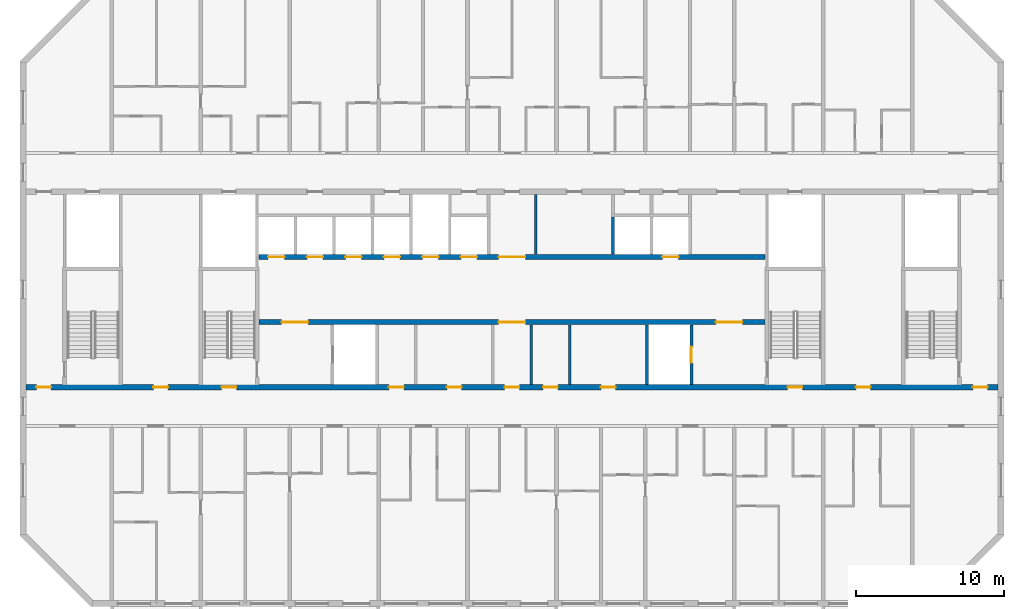
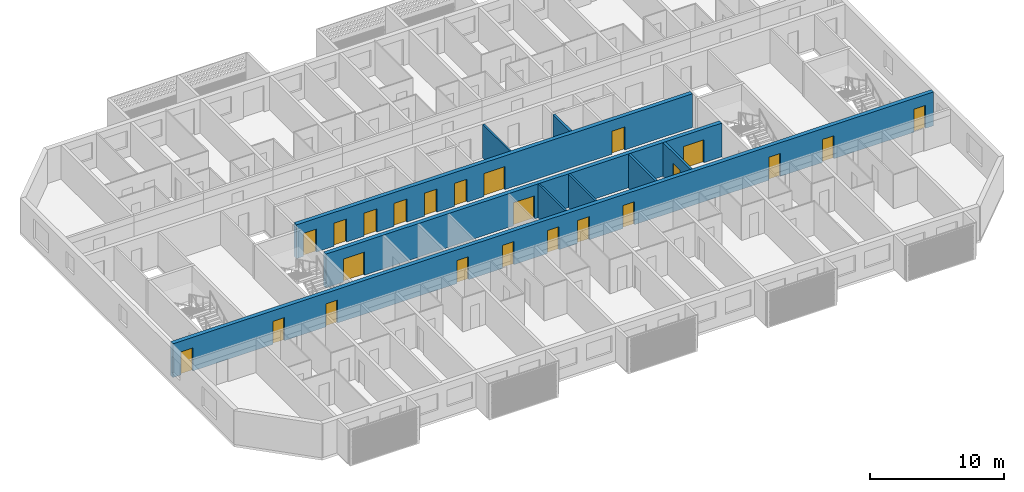
# One storey, part 6 of 27: 23 doors, 9 walls, 23 openings.
"""IFC4 building model written with IfcOpenShell, lengths in metres."""

from ifc_helpers import new_model, si_unit, direction, frame, frame_2d, origin, place, context, subcontext, project, spatial, rectangle, extrude, material, layer, layer_set, type_object, element, fill, save


model = new_model("IFC4")

# Units and contexts
model_context = context("Model", 3, precision=1e-05, world=origin(), true_north=direction((0.0, 1.0)))
body_context = subcontext(model_context, "Body", "Model", "MODEL_VIEW")
ifc_project = project(units=[si_unit("LENGTHUNIT", "METRE"), si_unit("AREAUNIT", "SQUARE_METRE"), si_unit("VOLUMEUNIT", "CUBIC_METRE"), si_unit("PLANEANGLEUNIT", "RADIAN"), si_unit("MASSUNIT", "GRAM", prefix="KILO")], contexts=[model_context])

# Site, building, storey
site_placement = place(None, origin())
site = spatial("IfcSite", under=ifc_project, at=site_placement, CompositionType="ELEMENT")
building_placement = place(site_placement, origin())
building = spatial("IfcBuilding", under=site, at=building_placement, Name="Poui Terraces", CompositionType="ELEMENT")
storey_placement = place(building_placement, frame((0.0, 0.0, 254.39990234375)))
storey = spatial("IfcBuildingStorey", under=building, at=storey_placement, Name="L71", CompositionType="ELEMENT", Elevation=254.39990234375)

# Wall, openings, doors
ifc_material_1 = material(Name="Concrete 50 MPa", Category="concrete")
ifc_layer_1 = layer(ifc_material_1, 0.35009765625)
ifc_layer_set_1 = layer_set([ifc_layer_1], Name="Concrete 50 MPa")
wall_type_1 = type_object("IfcWallType", Name="CORE WALL 350 50 MPA", PredefinedType="SOLIDWALL", material=ifc_layer_set_1)
wall_1_placement = place(storey_placement, frame((33.925048828125, 19.0, 0.0), z_axis=(0.0, 0.0, 1.0), x_axis=(1.0, 0.0, 0.0)))
wall_1 = element("IfcWall", 1, at=wall_1_placement, inside=storey, type_object=wall_type_1, Name="CORE WALL", PredefinedType="SOLIDWALL", context=body_context, shape_type="SweptSolid", body=[
    extrude(rectangle(XDim=34.14990234375, YDim=0.35009765625, at=frame_2d((17.074951171875, 0.0))), origin(), (0.0, 0.0, 1.0), 3.080078125),
])
opening_1_placement = place(wall_1_placement, frame((16.175048828125, 0.0, 0.0)))
opening_1 = element("IfcOpeningElement", 2, at=opening_1_placement, cuts=wall_1, Name="Opening FDD60", PredefinedType="OPENING", context=body_context, shape_type="SweptSolid", body=[
    extrude(rectangle(XDim=1.800048828125, YDim=2.10009765625, at=frame_2d((0.89990234375, 1.050048828125))), frame((0.0, 0.18505859375, 0.0), z_axis=(0.0, -1.0, 0.0), x_axis=(1.0, 0.0, 0.0)), (0.0, 0.0, 1.0), 0.3701171875),
])
opening_2_placement = place(wall_1_placement, frame((1.52490234375, 0.0, 0.0)))
opening_2 = element("IfcOpeningElement", 3, at=opening_2_placement, cuts=wall_1, Name="Opening FDD60", PredefinedType="OPENING", context=body_context, shape_type="SweptSolid", body=[
    extrude(rectangle(XDim=1.800048828125, YDim=2.10009765625, at=frame_2d((0.89990234375, 1.050048828125))), frame((0.0, 0.18505859375, 0.0), z_axis=(0.0, -1.0, 0.0), x_axis=(1.0, 0.0, 0.0)), (0.0, 0.0, 1.0), 0.3701171875),
])
opening_3_placement = place(wall_1_placement, frame((30.824951171875, 0.0, 0.0)))
opening_3 = element("IfcOpeningElement", 4, at=opening_3_placement, cuts=wall_1, Name="Opening FDD60", PredefinedType="OPENING", context=body_context, shape_type="SweptSolid", body=[
    extrude(rectangle(XDim=1.800048828125, YDim=2.10009765625, at=frame_2d((0.89990234375, 1.050048828125))), frame((0.0, 0.18505859375, 0.0), z_axis=(0.0, -1.0, 0.0), x_axis=(1.0, 0.0, 0.0)), (0.0, 0.0, 1.0), 0.3701171875),
])
ifc_material_2 = material(Name="Steel fire door", Category="steel")
door_type_1 = type_object("IfcDoorType", Name="DOUBLE LOBBY FIRE DOOR 1800 X 2100", OperationType="DOUBLE_DOOR_SINGLE_SWING", PredefinedType="DOOR", material=ifc_material_2)
door_1_placement = place(opening_1_placement, frame((1.800048828125, 0.0, 0.0), z_axis=(0.0, 0.0, 1.0), x_axis=(-1.0, 0.0, 0.0)))
door_1 = element("IfcDoor", 5, at=door_1_placement, inside=storey, type_object=door_type_1, Name="DOUBLE LOBBY FIRE DOOR 099", OperationType="DOUBLE_DOOR_SINGLE_SWING", OverallHeight=2.10009765625, OverallWidth=1.800048828125, PredefinedType="DOOR", context=body_context, shape_type="SweptSolid", body=[
    extrude(rectangle(XDim=1.800048828125, YDim=2.10009765625, at=frame_2d((0.89990234375, 1.050048828125))), frame((0.0, 0.02490234375, 0.0), z_axis=(0.0, -1.0, 0.0), x_axis=(1.0, 0.0, 0.0)), (0.0, 0.0, 1.0), 0.050048828125),
])
fill(opening_1, door_1)
door_2_placement = place(opening_2_placement, origin())
door_2 = element("IfcDoor", 6, at=door_2_placement, inside=storey, type_object=door_type_1, Name="DOUBLE LOBBY FIRE DOOR 101", OperationType="DOUBLE_DOOR_SINGLE_SWING", OverallHeight=2.10009765625, OverallWidth=1.800048828125, PredefinedType="DOOR", context=body_context, shape_type="SweptSolid", body=[
    extrude(rectangle(XDim=1.800048828125, YDim=2.10009765625, at=frame_2d((0.89990234375, 1.050048828125))), frame((0.0, 0.02490234375, 0.0), z_axis=(0.0, -1.0, 0.0), x_axis=(1.0, 0.0, 0.0)), (0.0, 0.0, 1.0), 0.050048828125),
])
fill(opening_2, door_2)
door_3_placement = place(opening_3_placement, origin())
door_3 = element("IfcDoor", 7, at=door_3_placement, inside=storey, type_object=door_type_1, Name="DOUBLE LOBBY FIRE DOOR 108", OperationType="DOUBLE_DOOR_SINGLE_SWING", OverallHeight=2.10009765625, OverallWidth=1.800048828125, PredefinedType="DOOR", context=body_context, shape_type="SweptSolid", body=[
    extrude(rectangle(XDim=1.800048828125, YDim=2.10009765625, at=frame_2d((0.89990234375, 1.050048828125))), frame((0.0, 0.02490234375, 0.0), z_axis=(0.0, -1.0, 0.0), x_axis=(1.0, 0.0, 0.0)), (0.0, 0.0, 1.0), 0.050048828125),
])
fill(opening_3, door_3)

wall_2_placement = place(storey_placement, frame((33.925048828125, 23.39990234375, 0.0), z_axis=(0.0, 0.0, 1.0), x_axis=(1.0, 0.0, 0.0)))
wall_2 = element("IfcWall", 8, at=wall_2_placement, inside=storey, type_object=wall_type_1, Name="CORE WALL", PredefinedType="SOLIDWALL", context=body_context, shape_type="SweptSolid", body=[
    extrude(rectangle(XDim=34.14990234375, YDim=0.35009765625, at=frame_2d((17.074951171875, 0.0))), origin(), (0.0, 0.0, 1.0), 3.080078125),
])
opening_4_placement = place(wall_2_placement, frame((16.175048828125, 0.0, 0.0)))
opening_4 = element("IfcOpeningElement", 9, at=opening_4_placement, cuts=wall_2, Name="Opening FDD60", PredefinedType="OPENING", context=body_context, shape_type="SweptSolid", body=[
    extrude(rectangle(XDim=1.800048828125, YDim=2.10009765625, at=frame_2d((0.89990234375, 1.050048828125))), frame((0.0, 0.18505859375, 0.0), z_axis=(0.0, -1.0, 0.0), x_axis=(1.0, 0.0, 0.0)), (0.0, 0.0, 1.0), 0.3701171875),
])
opening_5_placement = place(wall_2_placement, frame((0.625, 0.0, 0.0)))
opening_5 = element("IfcOpeningElement", 10, at=opening_5_placement, cuts=wall_2, Name="Opening LD", PredefinedType="OPENING", context=body_context, shape_type="SweptSolid", body=[
    extrude(rectangle(XDim=1.10009765625, YDim=2.10009765625, at=frame_2d((0.550048828125, 1.050048828125))), frame((0.0, 0.18505859375, 0.0), z_axis=(0.0, -1.0, 0.0), x_axis=(1.0, 0.0, 0.0)), (0.0, 0.0, 1.0), 0.3701171875),
])
opening_6_placement = place(wall_2_placement, frame((3.22509765625, 0.0, 0.0)))
opening_6 = element("IfcOpeningElement", 11, at=opening_6_placement, cuts=wall_2, Name="Opening LD", PredefinedType="OPENING", context=body_context, shape_type="SweptSolid", body=[
    extrude(rectangle(XDim=1.10009765625, YDim=2.10009765625, at=frame_2d((0.550048828125, 1.050048828125))), frame((0.0, 0.18505859375, 0.0), z_axis=(0.0, -1.0, 0.0), x_axis=(1.0, 0.0, 0.0)), (0.0, 0.0, 1.0), 0.3701171875),
])
opening_7_placement = place(wall_2_placement, frame((5.824951171875, 0.0, 0.0)))
opening_7 = element("IfcOpeningElement", 12, at=opening_7_placement, cuts=wall_2, Name="Opening LD", PredefinedType="OPENING", context=body_context, shape_type="SweptSolid", body=[
    extrude(rectangle(XDim=1.10009765625, YDim=2.10009765625, at=frame_2d((0.550048828125, 1.050048828125))), frame((0.0, 0.18505859375, 0.0), z_axis=(0.0, -1.0, 0.0), x_axis=(1.0, 0.0, 0.0)), (0.0, 0.0, 1.0), 0.3701171875),
])
opening_8_placement = place(wall_2_placement, frame((8.425048828125, 0.0, 0.0)))
opening_8 = element("IfcOpeningElement", 13, at=opening_8_placement, cuts=wall_2, Name="Opening LD", PredefinedType="OPENING", context=body_context, shape_type="SweptSolid", body=[
    extrude(rectangle(XDim=1.10009765625, YDim=2.10009765625, at=frame_2d((0.550048828125, 1.050048828125))), frame((0.0, 0.18505859375, 0.0), z_axis=(0.0, -1.0, 0.0), x_axis=(1.0, 0.0, 0.0)), (0.0, 0.0, 1.0), 0.3701171875),
])
opening_9_placement = place(wall_2_placement, frame((11.02490234375, 0.0, 0.0)))
opening_9 = element("IfcOpeningElement", 14, at=opening_9_placement, cuts=wall_2, Name="Opening LD", PredefinedType="OPENING", context=body_context, shape_type="SweptSolid", body=[
    extrude(rectangle(XDim=1.10009765625, YDim=2.10009765625, at=frame_2d((0.550048828125, 1.050048828125))), frame((0.0, 0.18505859375, 0.0), z_axis=(0.0, -1.0, 0.0), x_axis=(1.0, 0.0, 0.0)), (0.0, 0.0, 1.0), 0.3701171875),
])
opening_10_placement = place(wall_2_placement, frame((13.625, 0.0, 0.0)))
opening_10 = element("IfcOpeningElement", 15, at=opening_10_placement, cuts=wall_2, Name="Opening LD", PredefinedType="OPENING", context=body_context, shape_type="SweptSolid", body=[
    extrude(rectangle(XDim=1.10009765625, YDim=2.10009765625, at=frame_2d((0.550048828125, 1.050048828125))), frame((0.0, 0.18505859375, 0.0), z_axis=(0.0, -1.0, 0.0), x_axis=(1.0, 0.0, 0.0)), (0.0, 0.0, 1.0), 0.3701171875),
])
opening_11_placement = place(wall_2_placement, frame((27.22509765625, 0.0, 0.0)))
opening_11 = element("IfcOpeningElement", 16, at=opening_11_placement, cuts=wall_2, Name="Opening LD", PredefinedType="OPENING", context=body_context, shape_type="SweptSolid", body=[
    extrude(rectangle(XDim=1.10009765625, YDim=2.10009765625, at=frame_2d((0.550048828125, 1.050048828125))), frame((0.0, 0.18505859375, 0.0), z_axis=(0.0, -1.0, 0.0), x_axis=(1.0, 0.0, 0.0)), (0.0, 0.0, 1.0), 0.3701171875),
])
door_4_placement = place(opening_4_placement, origin())
door_4 = element("IfcDoor", 17, at=door_4_placement, inside=storey, type_object=door_type_1, Name="DOUBLE LOBBY FIRE DOOR 098", OperationType="DOUBLE_DOOR_SINGLE_SWING", OverallHeight=2.10009765625, OverallWidth=1.800048828125, PredefinedType="DOOR", context=body_context, shape_type="SweptSolid", body=[
    extrude(rectangle(XDim=1.800048828125, YDim=2.10009765625, at=frame_2d((0.89990234375, 1.050048828125))), frame((0.0, 0.02490234375, 0.0), z_axis=(0.0, -1.0, 0.0), x_axis=(1.0, 0.0, 0.0)), (0.0, 0.0, 1.0), 0.050048828125),
])
fill(opening_4, door_4)
ifc_material_3 = material(Name="Stainless steel sliding door", Category="steel")
door_type_2 = type_object("IfcDoorType", Name="LIFT LANDING DOOR 1100 X 2100", OperationType="DOUBLE_DOOR_SLIDING", PredefinedType="DOOR", material=ifc_material_3)
door_5_placement = place(opening_5_placement, origin())
door_5 = element("IfcDoor", 18, at=door_5_placement, inside=storey, type_object=door_type_2, Name="LANDING DOOR", OperationType="DOUBLE_DOOR_SLIDING", OverallHeight=2.10009765625, OverallWidth=1.10009765625, PredefinedType="DOOR", context=body_context, shape_type="SweptSolid", body=[
    extrude(rectangle(XDim=1.10009765625, YDim=2.10009765625, at=frame_2d((0.550048828125, 1.050048828125))), frame((0.0, 0.02490234375, 0.0), z_axis=(0.0, -1.0, 0.0), x_axis=(1.0, 0.0, 0.0)), (0.0, 0.0, 1.0), 0.050048828125),
])
fill(opening_5, door_5)
door_6_placement = place(opening_6_placement, origin())
door_6 = element("IfcDoor", 19, at=door_6_placement, inside=storey, type_object=door_type_2, Name="LANDING DOOR", OperationType="DOUBLE_DOOR_SLIDING", OverallHeight=2.10009765625, OverallWidth=1.10009765625, PredefinedType="DOOR", context=body_context, shape_type="SweptSolid", body=[
    extrude(rectangle(XDim=1.10009765625, YDim=2.10009765625, at=frame_2d((0.550048828125, 1.050048828125))), frame((0.0, 0.02490234375, 0.0), z_axis=(0.0, -1.0, 0.0), x_axis=(1.0, 0.0, 0.0)), (0.0, 0.0, 1.0), 0.050048828125),
])
fill(opening_6, door_6)
door_7_placement = place(opening_7_placement, origin())
door_7 = element("IfcDoor", 20, at=door_7_placement, inside=storey, type_object=door_type_2, Name="LANDING DOOR", OperationType="DOUBLE_DOOR_SLIDING", OverallHeight=2.10009765625, OverallWidth=1.10009765625, PredefinedType="DOOR", context=body_context, shape_type="SweptSolid", body=[
    extrude(rectangle(XDim=1.10009765625, YDim=2.10009765625, at=frame_2d((0.550048828125, 1.050048828125))), frame((0.0, 0.02490234375, 0.0), z_axis=(0.0, -1.0, 0.0), x_axis=(1.0, 0.0, 0.0)), (0.0, 0.0, 1.0), 0.050048828125),
])
fill(opening_7, door_7)
door_8_placement = place(opening_8_placement, origin())
door_8 = element("IfcDoor", 21, at=door_8_placement, inside=storey, type_object=door_type_2, Name="LANDING DOOR", OperationType="DOUBLE_DOOR_SLIDING", OverallHeight=2.10009765625, OverallWidth=1.10009765625, PredefinedType="DOOR", context=body_context, shape_type="SweptSolid", body=[
    extrude(rectangle(XDim=1.10009765625, YDim=2.10009765625, at=frame_2d((0.550048828125, 1.050048828125))), frame((0.0, 0.02490234375, 0.0), z_axis=(0.0, -1.0, 0.0), x_axis=(1.0, 0.0, 0.0)), (0.0, 0.0, 1.0), 0.050048828125),
])
fill(opening_8, door_8)
door_9_placement = place(opening_9_placement, origin())
door_9 = element("IfcDoor", 22, at=door_9_placement, inside=storey, type_object=door_type_2, Name="LANDING DOOR", OperationType="DOUBLE_DOOR_SLIDING", OverallHeight=2.10009765625, OverallWidth=1.10009765625, PredefinedType="DOOR", context=body_context, shape_type="SweptSolid", body=[
    extrude(rectangle(XDim=1.10009765625, YDim=2.10009765625, at=frame_2d((0.550048828125, 1.050048828125))), frame((0.0, 0.02490234375, 0.0), z_axis=(0.0, -1.0, 0.0), x_axis=(1.0, 0.0, 0.0)), (0.0, 0.0, 1.0), 0.050048828125),
])
fill(opening_9, door_9)
door_10_placement = place(opening_10_placement, origin())
door_10 = element("IfcDoor", 23, at=door_10_placement, inside=storey, type_object=door_type_2, Name="LANDING DOOR", OperationType="DOUBLE_DOOR_SLIDING", OverallHeight=2.10009765625, OverallWidth=1.10009765625, PredefinedType="DOOR", context=body_context, shape_type="SweptSolid", body=[
    extrude(rectangle(XDim=1.10009765625, YDim=2.10009765625, at=frame_2d((0.550048828125, 1.050048828125))), frame((0.0, 0.02490234375, 0.0), z_axis=(0.0, -1.0, 0.0), x_axis=(1.0, 0.0, 0.0)), (0.0, 0.0, 1.0), 0.050048828125),
])
fill(opening_10, door_10)
door_11_placement = place(opening_11_placement, origin())
door_11 = element("IfcDoor", 24, at=door_11_placement, inside=storey, type_object=door_type_2, Name="LANDING DOOR", OperationType="DOUBLE_DOOR_SLIDING", OverallHeight=2.10009765625, OverallWidth=1.10009765625, PredefinedType="DOOR", context=body_context, shape_type="SweptSolid", body=[
    extrude(rectangle(XDim=1.10009765625, YDim=2.10009765625, at=frame_2d((0.550048828125, 1.050048828125))), frame((0.0, 0.02490234375, 0.0), z_axis=(0.0, -1.0, 0.0), x_axis=(1.0, 0.0, 0.0)), (0.0, 0.0, 1.0), 0.050048828125),
])
fill(opening_11, door_11)

# Walls
ifc_material_4 = material(Name="Fire-rated plasterboard wall")
ifc_layer_2 = layer(ifc_material_4, 0.14990234375)
ifc_layer_set_2 = layer_set([ifc_layer_2], Name="Fire-rated plasterboard wall")
wall_type_2 = type_object("IfcWallType", Name="CORRIDOR WALL 150", PredefinedType="PARTITIONING", material=ifc_layer_set_2)
for number, where, z_axis, x_axis, name in (
    (25, (52.300048828125, 14.784912109375, 0.0), (0.0, 0.0, 1.0), (0.0, 1.0, 0.0), "CORRIDOR WALL 150"),
    (26, (52.60009765625, 23.5849609375, 0.0), (0.0, 0.0, 1.0), (0.0, 1.0, 0.0), "CORRIDOR WALL 150"),
):
    element("IfcWall", number, at=place(storey_placement, frame(where, z_axis=z_axis, x_axis=x_axis)), inside=storey, type_object=wall_type_2, Name=name, PredefinedType="PARTITIONING", context=body_context, shape_type="SweptSolid", body=[
        extrude(rectangle(XDim=4.030029296875, YDim=0.14990234375, at=frame_2d((2.01513671875, 0.0))), origin(), (0.0, 0.0, 1.0), 3.080078125),
    ])
ifc_material_5 = material(Name="Plasterboard partition")
ifc_layer_3 = layer(ifc_material_5, 0.14990234375)
ifc_layer_set_3 = layer_set([ifc_layer_3], Name="Plasterboard partition")
wall_type_3 = type_object("IfcWallType", Name="PARTITION WALL 150", PredefinedType="PARTITIONING", material=ifc_layer_set_3)
wall_3_placement = place(storey_placement, frame((54.89990234375, 14.784912109375, 0.0), z_axis=(0.0, 0.0, 1.0), x_axis=(0.0, 1.0, 0.0)))
element("IfcWall", 27, at=wall_3_placement, inside=storey, type_object=wall_type_3, Name="PARTITION WALL 150", PredefinedType="PARTITIONING", context=body_context, shape_type="SweptSolid", body=[
    extrude(rectangle(XDim=4.030029296875, YDim=0.14990234375, at=frame_2d((2.01513671875, 0.0))), origin(), (0.0, 0.0, 1.0), 3.080078125),
])
ifc_material_6 = material(Name="Fire-rated masonry shaft wall", Category="masonry")
ifc_layer_4 = layer(ifc_material_6, 0.199951171875)
ifc_layer_set_4 = layer_set([ifc_layer_4], Name="Fire-rated masonry shaft wall")
wall_type_4 = type_object("IfcWallType", Name="SHAFT WALL 200", PredefinedType="PARTITIONING", material=ifc_layer_set_4)
wall_4_placement = place(storey_placement, frame((57.800048828125, 23.5849609375, 0.0), z_axis=(0.0, 0.0, 1.0), x_axis=(0.0, 1.0, 0.0)))
element("IfcWall", 28, at=wall_4_placement, inside=storey, type_object=wall_type_4, Name="SHAFT WALL 200", PredefinedType="PARTITIONING", context=body_context, shape_type="SweptSolid", body=[
    extrude(rectangle(XDim=2.51513671875, YDim=0.199951171875, at=frame_2d((1.257568359375, 0.0))), origin(), (0.0, 0.0, 1.0), 3.080078125),
])
wall_5_placement = place(storey_placement, frame((60.10009765625, 14.784912109375, 0.0), z_axis=(0.0, 0.0, 1.0), x_axis=(0.0, 1.0, 0.0)))
element("IfcWall", 29, at=wall_5_placement, inside=storey, type_object=wall_type_4, Name="SHAFT WALL 200", PredefinedType="PARTITIONING", context=body_context, shape_type="SweptSolid", body=[
    extrude(rectangle(XDim=4.030029296875, YDim=0.199951171875, at=frame_2d((2.01513671875, 0.0))), origin(), (0.0, 0.0, 1.0), 3.080078125),
])

# Wall, opening, door
wall_6_placement = place(storey_placement, frame((63.10009765625, 14.784912109375, 0.0), z_axis=(0.0, 0.0, 1.0), x_axis=(0.0, 1.0, 0.0)))
wall_6 = element("IfcWall", 30, at=wall_6_placement, inside=storey, type_object=wall_type_4, Name="SHAFT WALL 200", PredefinedType="PARTITIONING", context=body_context, shape_type="SweptSolid", body=[
    extrude(rectangle(XDim=4.030029296875, YDim=0.199951171875, at=frame_2d((2.01513671875, 0.0))), origin(), (0.0, 0.0, 1.0), 3.080078125),
])
opening_12_placement = place(wall_6_placement, frame((1.465087890625, 0.0, 0.0)))
opening_12 = element("IfcOpeningElement", 31, at=opening_12_placement, cuts=wall_6, Name="Opening LD", PredefinedType="OPENING", context=body_context, shape_type="SweptSolid", body=[
    extrude(rectangle(XDim=1.10009765625, YDim=2.10009765625, at=frame_2d((0.550048828125, 1.050048828125))), frame((0.0, 0.10986328125, 0.0), z_axis=(0.0, -1.0, 0.0), x_axis=(1.0, 0.0, 0.0)), (0.0, 0.0, 1.0), 0.219970703125),
])
door_12_placement = place(opening_12_placement, origin())
door_12 = element("IfcDoor", 32, at=door_12_placement, inside=storey, type_object=door_type_2, Name="LANDING DOOR", OperationType="DOUBLE_DOOR_SLIDING", OverallHeight=2.10009765625, OverallWidth=1.10009765625, PredefinedType="DOOR", context=body_context, shape_type="SweptSolid", body=[
    extrude(rectangle(XDim=1.10009765625, YDim=2.10009765625, at=frame_2d((0.550048828125, 1.050048828125))), frame((0.0, 0.02490234375, 0.0), z_axis=(0.0, -1.0, 0.0), x_axis=(1.0, 0.0, 0.0)), (0.0, 0.0, 1.0), 0.050048828125),
])
fill(opening_12, door_12)

# Wall, openings, doors
ifc_layer_5 = layer(ifc_material_1, 0.35009765625)
ifc_layer_set_5 = layer_set([ifc_layer_5], Name="Concrete 50 MPa")
wall_type_5 = type_object("IfcWallType", Name="SPINE WALL 350 50 MPA", PredefinedType="SOLIDWALL", material=ifc_layer_set_5)
wall_7_placement = place(storey_placement, frame((18.199951171875, 14.60009765625, 0.0), z_axis=(0.0, 0.0, 1.0), x_axis=(1.0, 0.0, 0.0)))
wall_7 = element("IfcWall", 33, at=wall_7_placement, inside=storey, type_object=wall_type_5, Name="SPINE WALL", PredefinedType="SOLIDWALL", context=body_context, shape_type="SweptSolid", body=[
    extrude(rectangle(XDim=65.60009765625, YDim=0.35009765625, at=frame_2d((32.800048828125, 0.0))), origin(), (0.0, 0.0, 1.0), 3.080078125),
])
opening_13_placement = place(wall_7_placement, frame((0.699951171875, 0.0, 0.0)))
opening_13 = element("IfcOpeningElement", 34, at=opening_13_placement, cuts=wall_7, Name="Opening FDL", PredefinedType="OPENING", context=body_context, shape_type="SweptSolid", body=[
    extrude(rectangle(XDim=1.0, YDim=2.10009765625, at=frame_2d((0.5, 1.050048828125))), frame((0.0, 0.18505859375, 0.0), z_axis=(0.0, -1.0, 0.0), x_axis=(1.0, 0.0, 0.0)), (0.0, 0.0, 1.0), 0.3701171875),
])
opening_14_placement = place(wall_7_placement, frame((8.60009765625, 0.0, 0.0)))
opening_14 = element("IfcOpeningElement", 35, at=opening_14_placement, cuts=wall_7, Name="Opening D100", PredefinedType="OPENING", context=body_context, shape_type="SweptSolid", body=[
    extrude(rectangle(XDim=1.0, YDim=2.10009765625, at=frame_2d((0.5, 1.050048828125))), frame((0.0, 0.18505859375, 0.0), z_axis=(0.0, -1.0, 0.0), x_axis=(1.0, 0.0, 0.0)), (0.0, 0.0, 1.0), 0.3701171875),
])
opening_15_placement = place(wall_7_placement, frame((13.199951171875, 0.0, 0.0)))
opening_15 = element("IfcOpeningElement", 36, at=opening_15_placement, cuts=wall_7, Name="Opening FD60S", PredefinedType="OPENING", context=body_context, shape_type="SweptSolid", body=[
    extrude(rectangle(XDim=1.0, YDim=2.10009765625, at=frame_2d((0.5, 1.050048828125))), frame((0.0, 0.18505859375, 0.0), z_axis=(0.0, -1.0, 0.0), x_axis=(1.0, 0.0, 0.0)), (0.0, 0.0, 1.0), 0.3701171875),
])
opening_16_placement = place(wall_7_placement, frame((24.5, 0.0, 0.0)))
opening_16 = element("IfcOpeningElement", 37, at=opening_16_placement, cuts=wall_7, Name="Opening FD60", PredefinedType="OPENING", context=body_context, shape_type="SweptSolid", body=[
    extrude(rectangle(XDim=1.0, YDim=2.10009765625, at=frame_2d((0.5, 1.050048828125))), frame((0.0, 0.18505859375, 0.0), z_axis=(0.0, -1.0, 0.0), x_axis=(1.0, 0.0, 0.0)), (0.0, 0.0, 1.0), 0.3701171875),
])
opening_17_placement = place(wall_7_placement, frame((28.39990234375, 0.0, 0.0)))
opening_17 = element("IfcOpeningElement", 38, at=opening_17_placement, cuts=wall_7, Name="Opening FD60", PredefinedType="OPENING", context=body_context, shape_type="SweptSolid", body=[
    extrude(rectangle(XDim=1.0, YDim=2.10009765625, at=frame_2d((0.5, 1.050048828125))), frame((0.0, 0.18505859375, 0.0), z_axis=(0.0, -1.0, 0.0), x_axis=(1.0, 0.0, 0.0)), (0.0, 0.0, 1.0), 0.3701171875),
])
opening_18_placement = place(wall_7_placement, frame((32.300048828125, 0.0, 0.0)))
opening_18 = element("IfcOpeningElement", 39, at=opening_18_placement, cuts=wall_7, Name="Opening FDL", PredefinedType="OPENING", context=body_context, shape_type="SweptSolid", body=[
    extrude(rectangle(XDim=1.0, YDim=2.10009765625, at=frame_2d((0.5, 1.050048828125))), frame((0.0, 0.18505859375, 0.0), z_axis=(0.0, -1.0, 0.0), x_axis=(1.0, 0.0, 0.0)), (0.0, 0.0, 1.0), 0.3701171875),
])
opening_19_placement = place(wall_7_placement, frame((34.89990234375, 0.0, 0.0)))
opening_19 = element("IfcOpeningElement", 40, at=opening_19_placement, cuts=wall_7, Name="Opening FD60", PredefinedType="OPENING", context=body_context, shape_type="SweptSolid", body=[
    extrude(rectangle(XDim=1.0, YDim=2.10009765625, at=frame_2d((0.5, 1.050048828125))), frame((0.0, 0.18505859375, 0.0), z_axis=(0.0, -1.0, 0.0), x_axis=(1.0, 0.0, 0.0)), (0.0, 0.0, 1.0), 0.3701171875),
])
opening_20_placement = place(wall_7_placement, frame((38.800048828125, 0.0, 0.0)))
opening_20 = element("IfcOpeningElement", 41, at=opening_20_placement, cuts=wall_7, Name="Opening FD60", PredefinedType="OPENING", context=body_context, shape_type="SweptSolid", body=[
    extrude(rectangle(XDim=1.0, YDim=2.10009765625, at=frame_2d((0.5, 1.050048828125))), frame((0.0, 0.18505859375, 0.0), z_axis=(0.0, -1.0, 0.0), x_axis=(1.0, 0.0, 0.0)), (0.0, 0.0, 1.0), 0.3701171875),
])
opening_21_placement = place(wall_7_placement, frame((51.39990234375, 0.0, 0.0)))
opening_21 = element("IfcOpeningElement", 42, at=opening_21_placement, cuts=wall_7, Name="Opening FD60S", PredefinedType="OPENING", context=body_context, shape_type="SweptSolid", body=[
    extrude(rectangle(XDim=1.0, YDim=2.10009765625, at=frame_2d((0.5, 1.050048828125))), frame((0.0, 0.18505859375, 0.0), z_axis=(0.0, -1.0, 0.0), x_axis=(1.0, 0.0, 0.0)), (0.0, 0.0, 1.0), 0.3701171875),
])
opening_22_placement = place(wall_7_placement, frame((56.0, 0.0, 0.0)))
opening_22 = element("IfcOpeningElement", 43, at=opening_22_placement, cuts=wall_7, Name="Opening D100", PredefinedType="OPENING", context=body_context, shape_type="SweptSolid", body=[
    extrude(rectangle(XDim=1.0, YDim=2.10009765625, at=frame_2d((0.5, 1.050048828125))), frame((0.0, 0.18505859375, 0.0), z_axis=(0.0, -1.0, 0.0), x_axis=(1.0, 0.0, 0.0)), (0.0, 0.0, 1.0), 0.3701171875),
])
opening_23_placement = place(wall_7_placement, frame((63.89990234375, 0.0, 0.0)))
opening_23 = element("IfcOpeningElement", 44, at=opening_23_placement, cuts=wall_7, Name="Opening FDL", PredefinedType="OPENING", context=body_context, shape_type="SweptSolid", body=[
    extrude(rectangle(XDim=1.0, YDim=2.10009765625, at=frame_2d((0.5, 1.050048828125))), frame((0.0, 0.18505859375, 0.0), z_axis=(0.0, -1.0, 0.0), x_axis=(1.0, 0.0, 0.0)), (0.0, 0.0, 1.0), 0.3701171875),
])
ifc_material_7 = material(Name="Solid core timber door", Category="wood")
door_type_3 = type_object("IfcDoorType", Name="ACCESSIBLE INTERNAL DOOR 1000 X 2100", OperationType="NOTDEFINED", PredefinedType="DOOR", material=ifc_material_7)
door_13_placement = place(opening_14_placement, frame((1.0, 0.0, 0.0), z_axis=(0.0, 0.0, 1.0), x_axis=(-1.0, 0.0, 0.0)))
door_13 = element("IfcDoor", 45, at=door_13_placement, inside=storey, type_object=door_type_3, Name="ACCESSIBLE INTERNAL DOOR 016", OperationType="SINGLE_SWING_RIGHT", OverallHeight=2.10009765625, OverallWidth=1.0, PredefinedType="DOOR", context=body_context, shape_type="SweptSolid", body=[
    extrude(rectangle(XDim=1.0, YDim=2.10009765625, at=frame_2d((0.5, 1.050048828125))), frame((0.0, 0.02490234375, 0.0), z_axis=(0.0, -1.0, 0.0), x_axis=(1.0, 0.0, 0.0)), (0.0, 0.0, 1.0), 0.050048828125),
])
fill(opening_14, door_13)
door_14_placement = place(opening_22_placement, frame((1.0, 0.0, 0.0), z_axis=(0.0, 0.0, 1.0), x_axis=(-1.0, 0.0, 0.0)))
door_14 = element("IfcDoor", 46, at=door_14_placement, inside=storey, type_object=door_type_3, Name="ACCESSIBLE INTERNAL DOOR 024", OperationType="SINGLE_SWING_LEFT", OverallHeight=2.10009765625, OverallWidth=1.0, PredefinedType="DOOR", context=body_context, shape_type="SweptSolid", body=[
    extrude(rectangle(XDim=1.0, YDim=2.10009765625, at=frame_2d((0.5, 1.050048828125))), frame((0.0, 0.02490234375, 0.0), z_axis=(0.0, -1.0, 0.0), x_axis=(1.0, 0.0, 0.0)), (0.0, 0.0, 1.0), 0.050048828125),
])
fill(opening_22, door_14)
door_type_4 = type_object("IfcDoorType", Name="LOBBY FIRE DOOR 1000 X 2100", OperationType="NOTDEFINED", PredefinedType="DOOR", material=ifc_material_2)
door_15_placement = place(opening_13_placement, frame((1.0, 0.0, 0.0), z_axis=(0.0, 0.0, 1.0), x_axis=(-1.0, 0.0, 0.0)))
door_15 = element("IfcDoor", 47, at=door_15_placement, inside=storey, type_object=door_type_4, Name="LOBBY FIRE DOOR 015", OperationType="SINGLE_SWING_RIGHT", OverallHeight=2.10009765625, OverallWidth=1.0, PredefinedType="DOOR", context=body_context, shape_type="SweptSolid", body=[
    extrude(rectangle(XDim=1.0, YDim=2.10009765625, at=frame_2d((0.5, 1.050048828125))), frame((0.0, 0.02490234375, 0.0), z_axis=(0.0, -1.0, 0.0), x_axis=(1.0, 0.0, 0.0)), (0.0, 0.0, 1.0), 0.050048828125),
])
fill(opening_13, door_15)
door_16_placement = place(opening_18_placement, frame((1.0, 0.0, 0.0), z_axis=(0.0, 0.0, 1.0), x_axis=(-1.0, 0.0, 0.0)))
door_16 = element("IfcDoor", 48, at=door_16_placement, inside=storey, type_object=door_type_4, Name="LOBBY FIRE DOOR 020", OperationType="SINGLE_SWING_LEFT", OverallHeight=2.10009765625, OverallWidth=1.0, PredefinedType="DOOR", context=body_context, shape_type="SweptSolid", body=[
    extrude(rectangle(XDim=1.0, YDim=2.10009765625, at=frame_2d((0.5, 1.050048828125))), frame((0.0, 0.02490234375, 0.0), z_axis=(0.0, -1.0, 0.0), x_axis=(1.0, 0.0, 0.0)), (0.0, 0.0, 1.0), 0.050048828125),
])
fill(opening_18, door_16)
door_17_placement = place(opening_23_placement, frame((1.0, 0.0, 0.0), z_axis=(0.0, 0.0, 1.0), x_axis=(-1.0, 0.0, 0.0)))
door_17 = element("IfcDoor", 49, at=door_17_placement, inside=storey, type_object=door_type_4, Name="LOBBY FIRE DOOR 025", OperationType="SINGLE_SWING_LEFT", OverallHeight=2.10009765625, OverallWidth=1.0, PredefinedType="DOOR", context=body_context, shape_type="SweptSolid", body=[
    extrude(rectangle(XDim=1.0, YDim=2.10009765625, at=frame_2d((0.5, 1.050048828125))), frame((0.0, 0.02490234375, 0.0), z_axis=(0.0, -1.0, 0.0), x_axis=(1.0, 0.0, 0.0)), (0.0, 0.0, 1.0), 0.050048828125),
])
fill(opening_23, door_17)
door_type_5 = type_object("IfcDoorType", Name="SERVICE ROOM FIRE DOOR 1000 X 2100", OperationType="NOTDEFINED", PredefinedType="DOOR", material=ifc_material_2)
door_18_placement = place(opening_16_placement, frame((1.0, 0.0, 0.0), z_axis=(0.0, 0.0, 1.0), x_axis=(-1.0, 0.0, 0.0)))
door_18 = element("IfcDoor", 50, at=door_18_placement, inside=storey, type_object=door_type_5, Name="SERVICE ROOM FIRE DOOR 018", OperationType="SINGLE_SWING_LEFT", OverallHeight=2.10009765625, OverallWidth=1.0, PredefinedType="DOOR", context=body_context, shape_type="SweptSolid", body=[
    extrude(rectangle(XDim=1.0, YDim=2.10009765625, at=frame_2d((0.5, 1.050048828125))), frame((0.0, 0.02490234375, 0.0), z_axis=(0.0, -1.0, 0.0), x_axis=(1.0, 0.0, 0.0)), (0.0, 0.0, 1.0), 0.050048828125),
])
fill(opening_16, door_18)
door_19_placement = place(opening_17_placement, frame((1.0, 0.0, 0.0), z_axis=(0.0, 0.0, 1.0), x_axis=(-1.0, 0.0, 0.0)))
door_19 = element("IfcDoor", 51, at=door_19_placement, inside=storey, type_object=door_type_5, Name="SERVICE ROOM FIRE DOOR 019", OperationType="SINGLE_SWING_RIGHT", OverallHeight=2.10009765625, OverallWidth=1.0, PredefinedType="DOOR", context=body_context, shape_type="SweptSolid", body=[
    extrude(rectangle(XDim=1.0, YDim=2.10009765625, at=frame_2d((0.5, 1.050048828125))), frame((0.0, 0.02490234375, 0.0), z_axis=(0.0, -1.0, 0.0), x_axis=(1.0, 0.0, 0.0)), (0.0, 0.0, 1.0), 0.050048828125),
])
fill(opening_17, door_19)
door_20_placement = place(opening_19_placement, frame((1.0, 0.0, 0.0), z_axis=(0.0, 0.0, 1.0), x_axis=(-1.0, 0.0, 0.0)))
door_20 = element("IfcDoor", 52, at=door_20_placement, inside=storey, type_object=door_type_5, Name="SERVICE ROOM FIRE DOOR 021", OperationType="SINGLE_SWING_LEFT", OverallHeight=2.10009765625, OverallWidth=1.0, PredefinedType="DOOR", context=body_context, shape_type="SweptSolid", body=[
    extrude(rectangle(XDim=1.0, YDim=2.10009765625, at=frame_2d((0.5, 1.050048828125))), frame((0.0, 0.02490234375, 0.0), z_axis=(0.0, -1.0, 0.0), x_axis=(1.0, 0.0, 0.0)), (0.0, 0.0, 1.0), 0.050048828125),
])
fill(opening_19, door_20)
door_21_placement = place(opening_20_placement, frame((1.0, 0.0, 0.0), z_axis=(0.0, 0.0, 1.0), x_axis=(-1.0, 0.0, 0.0)))
door_21 = element("IfcDoor", 53, at=door_21_placement, inside=storey, type_object=door_type_5, Name="SERVICE ROOM FIRE DOOR 022", OperationType="SINGLE_SWING_RIGHT", OverallHeight=2.10009765625, OverallWidth=1.0, PredefinedType="DOOR", context=body_context, shape_type="SweptSolid", body=[
    extrude(rectangle(XDim=1.0, YDim=2.10009765625, at=frame_2d((0.5, 1.050048828125))), frame((0.0, 0.02490234375, 0.0), z_axis=(0.0, -1.0, 0.0), x_axis=(1.0, 0.0, 0.0)), (0.0, 0.0, 1.0), 0.050048828125),
])
fill(opening_20, door_21)
door_type_6 = type_object("IfcDoorType", Name="STAIR DOOR 1000 X 2100", OperationType="NOTDEFINED", PredefinedType="DOOR", material=ifc_material_2)
door_22_placement = place(opening_15_placement, origin())
door_22 = element("IfcDoor", 54, at=door_22_placement, inside=storey, type_object=door_type_6, Name="STAIR DOOR 017", OperationType="SINGLE_SWING_RIGHT", OverallHeight=2.10009765625, OverallWidth=1.0, PredefinedType="DOOR", context=body_context, shape_type="SweptSolid", body=[
    extrude(rectangle(XDim=1.0, YDim=2.10009765625, at=frame_2d((0.5, 1.050048828125))), frame((0.0, 0.02490234375, 0.0), z_axis=(0.0, -1.0, 0.0), x_axis=(1.0, 0.0, 0.0)), (0.0, 0.0, 1.0), 0.050048828125),
])
fill(opening_15, door_22)
door_23_placement = place(opening_21_placement, origin())
door_23 = element("IfcDoor", 55, at=door_23_placement, inside=storey, type_object=door_type_6, Name="STAIR DOOR 023", OperationType="SINGLE_SWING_RIGHT", OverallHeight=2.10009765625, OverallWidth=1.0, PredefinedType="DOOR", context=body_context, shape_type="SweptSolid", body=[
    extrude(rectangle(XDim=1.0, YDim=2.10009765625, at=frame_2d((0.5, 1.050048828125))), frame((0.0, 0.02490234375, 0.0), z_axis=(0.0, -1.0, 0.0), x_axis=(1.0, 0.0, 0.0)), (0.0, 0.0, 1.0), 0.050048828125),
])
fill(opening_21, door_23)

save(model, "model.ifc")
